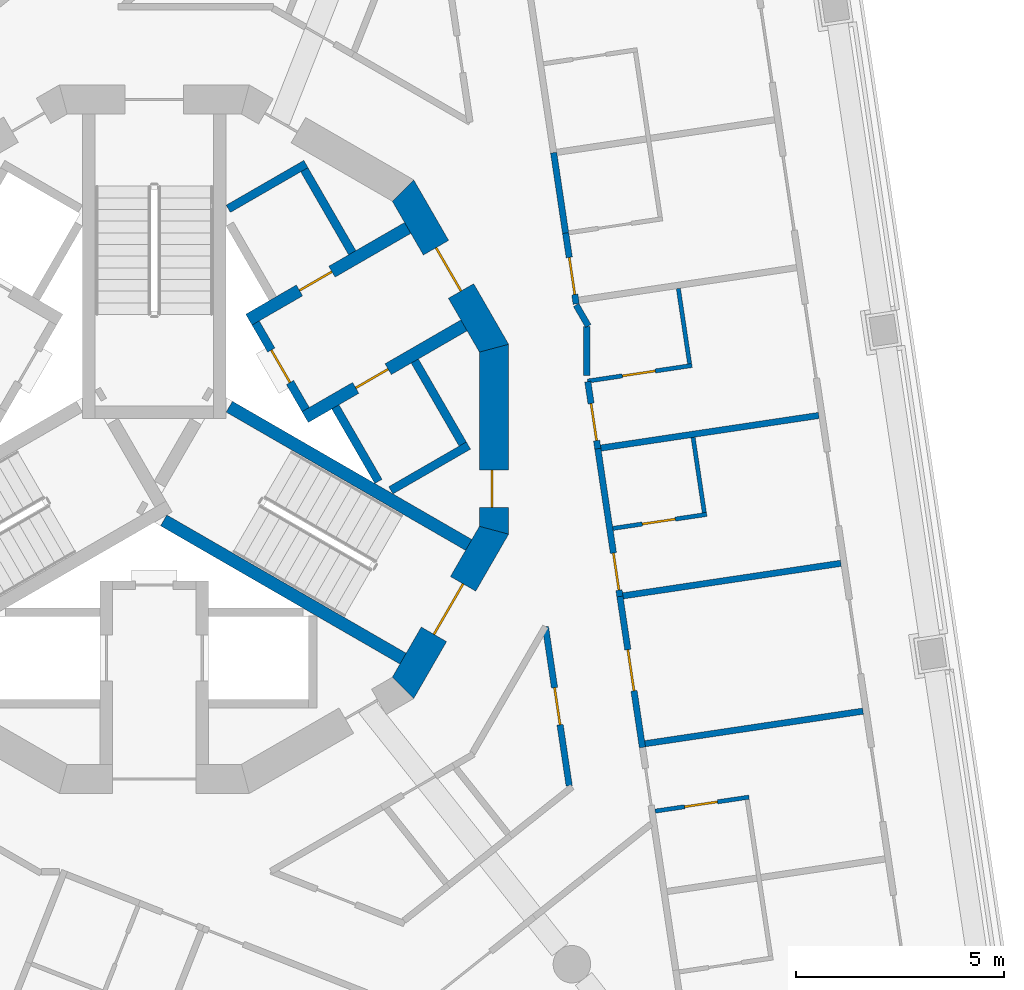
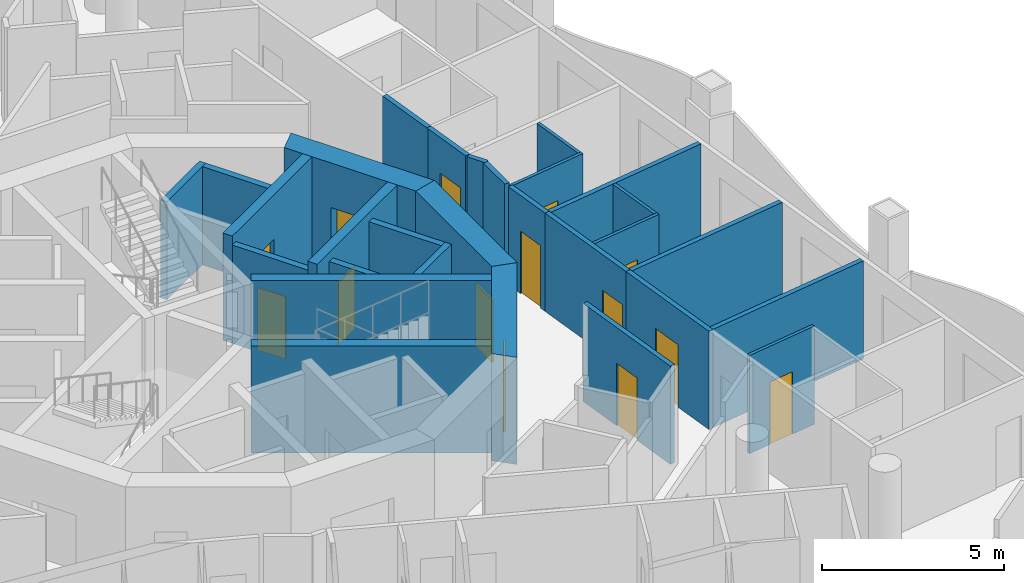
# One storey, part 6 of 17: 29 walls, 14 doors, 14 openings.
"""IFC4 building model written with IfcOpenShell, lengths in metres."""

import ifcopenshell
import ifcopenshell.guid

model = None  # the IFC model being written
_history = None  # IfcOwnerHistory: only IFC2X3 demands one
_inside = {}  # id of a spatial element -> (the spatial element, [elements in it])
_under = {}  # id of a project, library or spatial element -> (it, [spatial elements below it])
_declared = {}  # id of a project -> (the project, [libraries it declares])
_typed = {}  # id of a type object -> (the type object, [elements of that type])
_made_of = {}  # id of a material, layer set ... -> (it, [elements and type objects made of it])


def new_model(schema):
    """Start an empty IFC model of exactly this schema.

    Asked for "IFC4X3", IfcOpenShell would pick the latest addendum, in which some entities
    have other attributes; the version numbers below select the first issue.
    IFC2X3 requires an IfcOwnerHistory on every rooted entity: one is made here for all.
    """
    global model, _history
    if schema == "IFC4X3":
        model = ifcopenshell.file(schema_version=(4, 3, 0, 0))
    else:
        model = ifcopenshell.file(schema=schema)
    _inside.clear()
    _under.clear()
    _declared.clear()
    _typed.clear()
    _made_of.clear()
    _history = None
    if model.schema == "IFC2X3":
        org = make("IfcOrganization", Name="unknown")
        user = make(
            "IfcPersonAndOrganization",
            ThePerson=make("IfcPerson", FamilyName="unknown"),
            TheOrganization=org,
        )
        app = make(
            "IfcApplication",
            ApplicationDeveloper=org,
            Version="unknown",
            ApplicationFullName="unknown",
            ApplicationIdentifier="unknown",
        )
        _history = make(
            "IfcOwnerHistory",
            OwningUser=user,
            OwningApplication=app,
            ChangeAction="ADDED",
            CreationDate=0,
        )
    return model


def make(cls, **values):
    """One entity of the class cls with the attributes given. An attribute that is None is left unset."""
    return model.create_entity(
        cls, **{name: value for name, value in values.items() if value is not None}
    )


def rooted(cls, **values):
    """An entity with a GlobalId (a new one), such as an element, a storey or a relation."""
    return make(cls, GlobalId=ifcopenshell.guid.new(), OwnerHistory=_history, **values)


def si_unit(unit_type, name, prefix=None):
    """IfcSIUnit, for example si_unit("LENGTHUNIT", "METRE", prefix="MILLI")."""
    return make("IfcSIUnit", UnitType=unit_type, Prefix=prefix, Name=name)


def assignment(units):
    """IfcUnitAssignment: the units of a project."""
    return None if units is None else make("IfcUnitAssignment", Units=units)


def point(xyz):
    """IfcCartesianPoint."""
    return None if xyz is None else make("IfcCartesianPoint", Coordinates=xyz)


def direction(xyz):
    """IfcDirection."""
    return None if xyz is None else make("IfcDirection", DirectionRatios=xyz)


def frame(location, z_axis=None, x_axis=None):
    """IfcAxis2Placement3D, a coordinate frame: its origin and axes. An axis left out is left unset."""
    return make(
        "IfcAxis2Placement3D",
        Location=point(location),
        Axis=direction(z_axis),
        RefDirection=direction(x_axis),
    )


def frame_2d(location, x_axis=None):
    """IfcAxis2Placement2D, a coordinate frame in the plane: its origin and x axis."""
    return make(
        "IfcAxis2Placement2D", Location=point(location), RefDirection=direction(x_axis)
    )


def origin():
    """The frame at (0, 0, 0) with its axes left unset."""
    return frame((0.0, 0.0, 0.0))


def place(relative_to, where):
    """IfcLocalPlacement: puts the frame where relative to a parent placement (None: the world)."""
    return make(
        "IfcLocalPlacement", PlacementRelTo=relative_to, RelativePlacement=where
    )


def context(
    kind, dimensions, precision=None, world=None, true_north=None, identifier=None
):
    """IfcGeometricRepresentationContext, for example the 3D "Model" context."""
    return make(
        "IfcGeometricRepresentationContext",
        ContextIdentifier=identifier,
        ContextType=kind,
        CoordinateSpaceDimension=dimensions,
        Precision=precision,
        WorldCoordinateSystem=world,
        TrueNorth=true_north,
    )


def subcontext(parent, identifier, kind, view, scale=None):
    """IfcGeometricRepresentationSubContext, for example "Body" below "Model"."""
    return make(
        "IfcGeometricRepresentationSubContext",
        ContextIdentifier=identifier,
        ContextType=kind,
        ParentContext=parent,
        TargetScale=scale,
        TargetView=view,
    )


def project(units=None, contexts=None):
    """IfcProject with its units and contexts."""
    return rooted(
        "IfcProject",
        Name="project",
        RepresentationContexts=contexts,
        UnitsInContext=assignment(units),
    )


def spatial(cls, under=None, at=None, **own):
    """A site, building, storey or space (cls), placed at a placement, below another one or the project."""
    s = rooted(cls, ObjectPlacement=at, **own)
    if under is not None:
        _under.setdefault(under.id(), (under, []))[1].append(s)
    return s


def polyline(points):
    """IfcPolyline through the points."""
    return make("IfcPolyline", Points=[point(p) for p in points])


def profile(cls, at=None, kind="AREA", **sizes):
    """A parametric profile (cls). Its sizes go by their IFC names, for example OverallWidth=200.0."""
    return make(cls, ProfileType=kind, Position=at, **sizes)


def rectangle(**sizes):
    """IfcRectangleProfileDef."""
    return profile("IfcRectangleProfileDef", **sizes)


def outline(outer, holes=None, kind="AREA"):
    """IfcArbitraryClosedProfileDef: a profile drawn as a closed curve; with holes, ...WithVoids."""
    if holes is None:
        return make("IfcArbitraryClosedProfileDef", ProfileType=kind, OuterCurve=outer)
    return make(
        "IfcArbitraryProfileDefWithVoids",
        ProfileType=kind,
        OuterCurve=outer,
        InnerCurves=holes,
    )


def extrude(swept, where, along, depth):
    """IfcExtrudedAreaSolid: the profile swept, set in the frame where, extruded along a direction by depth."""
    return make(
        "IfcExtrudedAreaSolid",
        SweptArea=swept,
        Position=where,
        ExtrudedDirection=direction(along),
        Depth=depth,
    )


def shape(context_of_items, identifier, shape_type, items):
    """IfcShapeRepresentation: the items that make up one representation, for example the "Body"."""
    return make(
        "IfcShapeRepresentation",
        ContextOfItems=context_of_items,
        RepresentationIdentifier=identifier,
        RepresentationType=shape_type,
        Items=items,
    )


def material(Name=None, Category=None):
    """IfcMaterial."""
    return make("IfcMaterial", Name=Name, Category=Category)


def layer(
    of_material, thickness, ventilated=None, Name=None, Category=None, Priority=None
):
    """IfcMaterialLayer: one layer of a wall or slab, of a material (None: an air gap)."""
    return make(
        "IfcMaterialLayer",
        Material=of_material,
        LayerThickness=thickness,
        IsVentilated=ventilated,
        Name=Name,
        Category=Category,
        Priority=Priority,
    )


def layer_set(layers, Name=None):
    """IfcMaterialLayerSet."""
    return make("IfcMaterialLayerSet", MaterialLayers=layers, LayerSetName=Name)


def made_of(thing, what):
    """Note that an element or type object is made of a material, layer set ...; save() writes the relation."""
    if what is not None:
        _made_of.setdefault(what.id(), (what, []))[1].append(thing)
    return thing


def type_object(cls, material=None, **own):
    """A type object (cls), such as IfcWallType, which elements share."""
    return made_of(rooted(cls, **own), material)


def element(
    cls,
    number,
    at=None,
    inside=None,
    cuts=None,
    type_object=None,
    material=None,
    context=None,
    identifier="Body",
    shape_type=None,
    held_by="IfcProductDefinitionShape",
    body=None,
    shapes=None,
    **own,
):
    """One element of the class cls, such as IfcWall. Its Tag is "e" and its number.

    at: its placement. inside: the storey or other place that contains it. cuts: it is an
    opening in that element (IfcRelVoidsElement). A single representation is given by context,
    identifier, shape_type and body (its items); several are given by shapes. held_by: the class
    of the entity that holds the representations. save() writes the other relations.
    """
    e = rooted(cls, Tag="e%d" % number, ObjectPlacement=at, **own)
    if body is not None:
        shapes = [shape(context, identifier, shape_type, body)]
    if shapes is not None:
        e.Representation = make(held_by, Representations=shapes)
    if inside is not None:
        _inside.setdefault(inside.id(), (inside, []))[1].append(e)
    if cuts is not None:
        rooted(
            "IfcRelVoidsElement", RelatingBuildingElement=cuts, RelatedOpeningElement=e
        )
    if type_object is not None:
        _typed.setdefault(type_object.id(), (type_object, []))[1].append(e)
    return made_of(e, material)


def fill(opening, filler):
    """IfcRelFillsElement: the door or window that sits in an opening."""
    return rooted(
        "IfcRelFillsElement",
        RelatingOpeningElement=opening,
        RelatedBuildingElement=filler,
    )


def aggregate(whole, parts):
    """IfcRelAggregates: a whole, such as a stair, and the parts it consists of."""
    return rooted("IfcRelAggregates", RelatingObject=whole, RelatedObjects=parts)


def save(model, path):
    """Write the relations noted so far, then the file.

    IfcRelAggregates (storeys below a building ...), IfcRelContainedInSpatialStructure (elements
    in a storey), IfcRelDefinesByType, IfcRelAssociatesMaterial and IfcRelDeclares: one each for
    every whole, place, type object, material and project.
    """
    for whole, parts in _under.values():
        aggregate(whole, parts)
    for where, things in _inside.values():
        rooted(
            "IfcRelContainedInSpatialStructure",
            RelatedElements=things,
            RelatingStructure=where,
        )
    for kind, things in _typed.values():
        rooted("IfcRelDefinesByType", RelatedObjects=things, RelatingType=kind)
    for what, things in _made_of.values():
        rooted("IfcRelAssociatesMaterial", RelatedObjects=things, RelatingMaterial=what)
    for by, libraries in _declared.values():
        rooted("IfcRelDeclares", RelatingContext=by, RelatedDefinitions=libraries)
    model.write(path)


model = new_model("IFC4")

# Units and contexts
model_context = context("Model", 3, precision=1e-05, world=origin(), true_north=direction((0.0, 1.0)))
body_context = subcontext(model_context, "Body", "Model", "MODEL_VIEW")
ifc_project = project(units=[si_unit("LENGTHUNIT", "METRE"), si_unit("AREAUNIT", "SQUARE_METRE"), si_unit("VOLUMEUNIT", "CUBIC_METRE"), si_unit("PLANEANGLEUNIT", "RADIAN"), si_unit("MASSUNIT", "GRAM", prefix="KILO")], contexts=[model_context])

# Site, building, storey
site_placement = place(None, origin())
site = spatial("IfcSite", under=ifc_project, at=site_placement, CompositionType="ELEMENT")
building_placement = place(site_placement, origin())
building = spatial("IfcBuilding", under=site, at=building_placement, Name="Trine Commons Tower", CompositionType="ELEMENT")
storey_placement = place(building_placement, frame((0.0, 0.0, 216.0)))
storey = spatial("IfcBuildingStorey", under=building, at=storey_placement, Name="L56", CompositionType="ELEMENT", Elevation=216.0)

# Wall, opening, door
ifc_material_1 = material(Name="Fire-rated gypsum shaft wall system")
ifc_layer_1 = layer(ifc_material_1, 0.199951171875)
ifc_layer_set_1 = layer_set([ifc_layer_1], Name="Fire-rated gypsum shaft wall system")
wall_type_1 = type_object("IfcWallType", Name="Lobby end wall 200 mm, EI 120", PredefinedType="PARTITIONING", material=ifc_layer_set_1)
wall_1_placement = place(storey_placement, frame((83.631103515625, 63.2109375, 0.0), z_axis=(0.0, 0.0, 1.0), x_axis=(-0.50012165622, 0.865955154139, 0.0)))
wall_1 = element("IfcWall", 1, at=wall_1_placement, inside=storey, type_object=wall_type_1, Name="Lobby end wall L56", PredefinedType="PARTITIONING", context=body_context, shape_type="SweptSolid", body=[
    extrude(rectangle(XDim=2.39990234375, YDim=0.199951171875, at=frame_2d((1.199951171875, 0.0))), origin(), (0.0, 0.0, 1.0), 3.300048828125),
])
opening_1_placement = place(wall_1_placement, frame((0.749755859375, 0.0, 0.0)))
opening_1 = element("IfcOpeningElement", 2, at=opening_1_placement, cuts=wall_1, Name="Opening K16.05", PredefinedType="OPENING", context=body_context, shape_type="SweptSolid", body=[
    extrude(rectangle(XDim=0.89990234375, YDim=2.10009765625, at=frame_2d((0.449951171875, 1.050048828125))), frame((0.0, 0.10986328125, 0.0), z_axis=(0.0, -1.0, 0.0), x_axis=(1.0, 0.0, 0.0)), (0.0, 0.0, 1.0), 0.219970703125),
])
ifc_material_2 = material(Name="Steel door leaf, fire-rated", Category="steel")
door_type_1 = type_object("IfcDoorType", Name="Riser access door, single leaf 900 x 2100, FD60", OperationType="SINGLE_SWING_LEFT", PredefinedType="DOOR", material=ifc_material_2)
door_1_placement = place(opening_1_placement, frame((0.89990234375, 0.0, 0.0), z_axis=(0.0, 0.0, 1.0), x_axis=(-1.0, 0.0, 0.0)))
door_1 = element("IfcDoor", 3, at=door_1_placement, inside=storey, type_object=door_type_1, Name="Riser door, Electrical riser L56", OperationType="SINGLE_SWING_LEFT", OverallHeight=2.10009765625, OverallWidth=0.89990234375, PredefinedType="DOOR", context=body_context, shape_type="SweptSolid", body=[
    extrude(rectangle(XDim=0.89990234375, YDim=2.10009765625, at=frame_2d((0.449951171875, 1.050048828125))), frame((0.0, 0.02490234375, 0.0), z_axis=(0.0, -1.0, 0.0), x_axis=(1.0, 0.0, 0.0)), (0.0, 0.0, 1.0), 0.050048828125),
])
fill(opening_1, door_1)

ifc_material_3 = material(Name="Concrete C60/75", Category="concrete")
ifc_layer_2 = layer(ifc_material_3, 0.300048828125)
ifc_layer_set_2 = layer_set([ifc_layer_2], Name="Concrete C60/75")
wall_type_2 = type_object("IfcWallType", Name="RC shear wall 300 mm, C60/75", PredefinedType="SHEAR", material=ifc_layer_set_2)
wall_2_placement = place(storey_placement, frame((82.26904296875, 65.368896484375, 0.0), z_axis=(0.0, 0.0, 1.0), x_axis=(0.866035918664, 0.499981787252, 0.0)))
wall_2 = element("IfcWall", 4, at=wall_2_placement, inside=storey, type_object=wall_type_2, Name="Core cross wall SWC-05 L56", PredefinedType="SHEAR", context=body_context, shape_type="SweptSolid", body=[
    extrude(rectangle(XDim=4.400634765625, YDim=0.300048828125, at=frame_2d((2.2001953125, 0.0))), origin(), (0.0, 0.0, 1.0), 3.60009765625),
])
opening_2_placement = place(wall_2_placement, frame((1.400390625, 0.0, 0.0)))
opening_2 = element("IfcOpeningElement", 5, at=opening_2_placement, cuts=wall_2, Name="Opening K16.10", PredefinedType="OPENING", context=body_context, shape_type="SweptSolid", body=[
    extrude(rectangle(XDim=0.89990234375, YDim=2.10009765625, at=frame_2d((0.449951171875, 1.050048828125))), frame((0.0, 0.159912109375, 0.0), z_axis=(0.0, -1.0, 0.0), x_axis=(1.0, 0.0, 0.0)), (0.0, 0.0, 1.0), 0.320068359375),
])
door_type_2 = type_object("IfcDoorType", Name="Core room door, single leaf 900 x 2100, FD30S", OperationType="SINGLE_SWING_LEFT", PredefinedType="DOOR", material=ifc_material_2)
door_2_placement = place(opening_2_placement, origin())
door_2 = element("IfcDoor", 6, at=door_2_placement, inside=storey, type_object=door_type_2, Name="Door to Comms room L56", OperationType="SINGLE_SWING_LEFT", OverallHeight=2.10009765625, OverallWidth=0.89990234375, PredefinedType="DOOR", context=body_context, shape_type="SweptSolid", body=[
    extrude(rectangle(XDim=0.89990234375, YDim=2.10009765625, at=frame_2d((0.449951171875, 1.050048828125))), frame((0.0, 0.02490234375, 0.0), z_axis=(0.0, -1.0, 0.0), x_axis=(1.0, 0.0, 0.0)), (0.0, 0.0, 1.0), 0.050048828125),
])
fill(opening_2, door_2)

wall_3_placement = place(storey_placement, frame((83.618896484375, 63.031005859375, 0.0), z_axis=(0.0, 0.0, 1.0), x_axis=(0.866059941101, 0.499940174841, 0.0)))
wall_3 = element("IfcWall", 7, at=wall_3_placement, inside=storey, type_object=wall_type_2, Name="Core cross wall SWC-06 L56", PredefinedType="SHEAR", context=body_context, shape_type="SweptSolid", body=[
    extrude(rectangle(XDim=4.400390625, YDim=0.300048828125, at=frame_2d((2.2001953125, 0.0))), origin(), (0.0, 0.0, 1.0), 3.60009765625),
])
opening_3_placement = place(wall_3_placement, frame((1.400390625, 0.0, 0.0)))
opening_3 = element("IfcOpeningElement", 8, at=opening_3_placement, cuts=wall_3, Name="Opening K16.11", PredefinedType="OPENING", context=body_context, shape_type="SweptSolid", body=[
    extrude(rectangle(XDim=0.89990234375, YDim=2.10009765625, at=frame_2d((0.449951171875, 1.050048828125))), frame((0.0, 0.159912109375, 0.0), z_axis=(0.0, -1.0, 0.0), x_axis=(1.0, 0.0, 0.0)), (0.0, 0.0, 1.0), 0.320068359375),
])
door_3_placement = place(opening_3_placement, frame((0.89990234375, 0.0, 0.0), z_axis=(0.0, 0.0, 1.0), x_axis=(-1.0, 0.0, 0.0)))
door_3 = element("IfcDoor", 9, at=door_3_placement, inside=storey, type_object=door_type_2, Name="Door to Parcel store L56", OperationType="SINGLE_SWING_LEFT", OverallHeight=2.10009765625, OverallWidth=0.89990234375, PredefinedType="DOOR", context=body_context, shape_type="SweptSolid", body=[
    extrude(rectangle(XDim=0.89990234375, YDim=2.10009765625, at=frame_2d((0.449951171875, 1.050048828125))), frame((0.0, 0.02490234375, 0.0), z_axis=(0.0, -1.0, 0.0), x_axis=(1.0, 0.0, 0.0)), (0.0, 0.0, 1.0), 0.050048828125),
])
fill(opening_3, door_3)

# Walls
for number, where, z_axis, x_axis, name in (
    (10, (80.22509765625, 60.552001953125, 0.0), (0.0, 0.0, 1.0), (0.866009627307, -0.500027324665, 0.0), "Core cross wall SWC-13 L56"),
    (11, (81.800048828125, 63.280029296875, 0.0), (0.0, 0.0, 1.0), (0.866009627307, -0.500027324665, 0.0), "Core cross wall SWC-18 L56"),
):
    element("IfcWall", number, at=place(storey_placement, frame(where, z_axis=z_axis, x_axis=x_axis)), inside=storey, type_object=wall_type_2, Name=name, PredefinedType="SHEAR", context=body_context, shape_type="SweptSolid", body=[
        extrude(rectangle(XDim=6.631591796875, YDim=0.300048828125, at=frame_2d((3.31591796875, 0.0))), origin(), (0.0, 0.0, 1.0), 3.60009765625),
    ])

# Wall, opening, door
ifc_layer_3 = layer(ifc_material_3, 0.699951171875)
ifc_layer_set_3 = layer_set([ifc_layer_3], Name="Concrete C60/75")
wall_type_3 = type_object("IfcWallType", Name="RC shear wall 700 mm, C60/75", PredefinedType="SHEAR", material=ifc_layer_set_3)
wall_4_placement = place(storey_placement, frame((88.150146484375, 60.222412109375, 0.0), z_axis=(0.0, 0.0, 1.0), x_axis=(0.0, 1.0, 0.0)))
wall_4 = element("IfcWall", 12, at=wall_4_placement, inside=storey, type_object=wall_type_3, Name="Core wall CWF-01 L56", PredefinedType="SHEAR", context=body_context, shape_type="SweptSolid", body=[
    extrude(outline(polyline([(0.0, -0.35009765625), (4.55517578125, -0.35009765625), (4.36767578125, 0.35009765625), (0.1875, 0.35009765625), (0.0, -0.35009765625)])), origin(), (0.0, 0.0, 1.0), 3.60009765625),
])
opening_4_placement = place(wall_4_placement, frame((0.6416015625, 0.0, 0.0)))
opening_4 = element("IfcOpeningElement", 13, at=opening_4_placement, cuts=wall_4, Name="Opening K16.17", PredefinedType="OPENING", context=body_context, shape_type="SweptSolid", body=[
    extrude(rectangle(XDim=0.89990234375, YDim=2.10009765625, at=frame_2d((0.449951171875, 1.050048828125))), frame((0.0, 0.35986328125, 0.0), z_axis=(0.0, -1.0, 0.0), x_axis=(1.0, 0.0, 0.0)), (0.0, 0.0, 1.0), 0.719970703125),
])
door_4_placement = place(opening_4_placement, origin())
door_4 = element("IfcDoor", 14, at=door_4_placement, inside=storey, type_object=door_type_2, Name="Door to Accessible WC L56", OperationType="SINGLE_SWING_LEFT", OverallHeight=2.10009765625, OverallWidth=0.89990234375, PredefinedType="DOOR", context=body_context, shape_type="SweptSolid", body=[
    extrude(rectangle(XDim=0.89990234375, YDim=2.10009765625, at=frame_2d((0.449951171875, 1.050048828125))), frame((0.0, 0.0751953125, 0.0), z_axis=(0.0, -1.0, 0.0), x_axis=(1.0, 0.0, 0.0)), (0.0, 0.0, 1.0), 0.050048828125),
])
fill(opening_4, door_4)

wall_5_placement = place(storey_placement, frame((88.197021484375, 64.6025390625, 0.0), z_axis=(0.0, 0.0, 1.0), x_axis=(-0.499983800959, 0.866034756103, 0.0)))
wall_5 = element("IfcWall", 15, at=wall_5_placement, inside=storey, type_object=wall_type_3, Name="Core wall CWF-02 L56", PredefinedType="SHEAR", context=body_context, shape_type="SweptSolid", body=[
    extrude(outline(polyline([(0.0, -0.35009765625), (4.55517578125, -0.35009765625), (4.36767578125, 0.35009765625), (0.1875, 0.35009765625), (0.0, -0.35009765625)])), origin(), (0.0, 0.0, 1.0), 3.60009765625),
])
opening_5_placement = place(wall_5_placement, frame((1.677490234375, 0.0, 0.0)))
opening_5 = element("IfcOpeningElement", 16, at=opening_5_placement, cuts=wall_5, Name="Opening K16.04", PredefinedType="OPENING", context=body_context, shape_type="SweptSolid", body=[
    extrude(rectangle(XDim=1.199951171875, YDim=2.10009765625, at=frame_2d((0.60009765625, 1.050048828125))), frame((0.0, 0.35986328125, 0.0), z_axis=(0.0, -1.0, 0.0), x_axis=(1.0, 0.0, 0.0)), (0.0, 0.0, 1.0), 0.719970703125),
])
ifc_material_4 = material(Name="Steel door leaves, fire-rated", Category="steel")
door_type_3 = type_object("IfcDoorType", Name="Lobby door, double leaf 1200 x 2100, FD60", OperationType="DOUBLE_DOOR_SINGLE_SWING", PredefinedType="DOOR", material=ifc_material_4)
door_5_placement = place(opening_5_placement, origin())
door_5 = element("IfcDoor", 17, at=door_5_placement, inside=storey, type_object=door_type_3, Name="Lobby door, Core lounge L56", OperationType="DOUBLE_DOOR_SINGLE_SWING", OverallHeight=2.10009765625, OverallWidth=1.199951171875, PredefinedType="DOOR", context=body_context, shape_type="SweptSolid", body=[
    extrude(rectangle(XDim=1.199951171875, YDim=2.10009765625, at=frame_2d((0.60009765625, 1.050048828125))), frame((0.0, 0.02490234375, 0.0), z_axis=(0.0, -1.0, 0.0), x_axis=(1.0, 0.0, 0.0)), (0.0, 0.0, 1.0), 0.050048828125),
])
fill(opening_5, door_5)

wall_6_placement = place(storey_placement, frame((85.91943359375, 56.452392578125, 0.0), z_axis=(0.0, 0.0, 1.0), x_axis=(0.499983800959, 0.866034756103, 0.0)))
wall_6 = element("IfcWall", 18, at=wall_6_placement, inside=storey, type_object=wall_type_3, Name="Core wall CWF-12 L56", PredefinedType="SHEAR", context=body_context, shape_type="SweptSolid", body=[
    extrude(outline(polyline([(0.0, -0.35009765625), (4.55517578125, -0.35009765625), (4.36767578125, 0.35009765625), (0.1875, 0.35009765625), (0.0, -0.35009765625)])), origin(), (0.0, 0.0, 1.0), 3.60009765625),
])
opening_6_placement = place(wall_6_placement, frame((1.577392578125, 0.0, 0.0)))
opening_6 = element("IfcOpeningElement", 19, at=opening_6_placement, cuts=wall_6, Name="Opening K16.03", PredefinedType="OPENING", context=body_context, shape_type="SweptSolid", body=[
    extrude(rectangle(XDim=1.39990234375, YDim=2.10009765625, at=frame_2d((0.699951171875, 1.050048828125))), frame((0.0, 0.35986328125, 0.0), z_axis=(0.0, -1.0, 0.0), x_axis=(1.0, 0.0, 0.0)), (0.0, 0.0, 1.0), 0.719970703125),
])
door_type_4 = type_object("IfcDoorType", Name="Stair door, double leaf 1400 x 2100, FD90", OperationType="DOUBLE_DOOR_SINGLE_SWING", PredefinedType="DOOR", material=ifc_material_4)
door_6_placement = place(opening_6_placement, origin())
door_6 = element("IfcDoor", 20, at=door_6_placement, inside=storey, type_object=door_type_4, Name="Stair door to Exit stair ST3C L56", OperationType="DOUBLE_DOOR_SINGLE_SWING", OverallHeight=2.10009765625, OverallWidth=1.39990234375, PredefinedType="DOOR", context=body_context, shape_type="SweptSolid", body=[
    extrude(rectangle(XDim=1.39990234375, YDim=2.10009765625, at=frame_2d((0.699951171875, 1.050048828125))), frame((0.0, 0.02490234375, 0.0), z_axis=(0.0, -1.0, 0.0), x_axis=(1.0, 0.0, 0.0)), (0.0, 0.0, 1.0), 0.050048828125),
])
fill(opening_6, door_6)

# Walls
ifc_layer_4 = layer(ifc_material_1, 0.199951171875)
ifc_layer_set_4 = layer_set([ifc_layer_4], Name="Fire-rated gypsum shaft wall system")
wall_type_4 = type_object("IfcWallType", Name="Shaft wall 200 mm, EI 120", PredefinedType="PARTITIONING", material=ifc_layer_set_4)
wall_7_placement = place(storey_placement, frame((81.77490234375, 68.028076171875, 0.0), z_axis=(0.0, 0.0, 1.0), x_axis=(0.866130725101, 0.499817533742, 0.0)))
element("IfcWall", 21, at=wall_7_placement, inside=storey, type_object=wall_type_4, Name="Shaft wall L56", PredefinedType="PARTITIONING", context=body_context, shape_type="SweptSolid", body=[
    extrude(rectangle(XDim=2.148681640625, YDim=0.199951171875, at=frame_2d((1.07421875, 0.0))), origin(), (0.0, 0.0, 1.0), 3.300048828125),
])
wall_8_placement = place(storey_placement, frame((84.343994140625, 63.27587890625, 0.0), z_axis=(0.0, 0.0, 1.0), x_axis=(0.500271688072, -0.86586848777, 0.0)))
element("IfcWall", 22, at=wall_8_placement, inside=storey, type_object=wall_type_4, Name="Shaft wall L56", PredefinedType="PARTITIONING", context=body_context, shape_type="SweptSolid", body=[
    extrude(rectangle(XDim=2.064697265625, YDim=0.199951171875, at=frame_2d((1.0322265625, 0.0))), origin(), (0.0, 0.0, 1.0), 3.300048828125),
])
wall_9_placement = place(storey_placement, frame((84.7490234375, 66.97412109375, 0.0), z_axis=(0.0, 0.0, 1.0), x_axis=(-0.500136062276, 0.86594683394, 0.0)))
element("IfcWall", 23, at=wall_9_placement, inside=storey, type_object=wall_type_4, Name="Shaft wall L56", PredefinedType="PARTITIONING", context=body_context, shape_type="SweptSolid", body=[
    extrude(rectangle(XDim=2.299072265625, YDim=0.199951171875, at=frame_2d((1.1494140625, 0.0))), origin(), (0.0, 0.0, 1.0), 3.300048828125),
])
wall_10_placement = place(storey_placement, frame((85.675048828125, 61.27392578125, 0.0), z_axis=(0.0, 0.0, 1.0), x_axis=(0.866102336459, 0.499866725018, 0.0)))
element("IfcWall", 24, at=wall_10_placement, inside=storey, type_object=wall_type_4, Name="Shaft wall L56", PredefinedType="PARTITIONING", context=body_context, shape_type="SweptSolid", body=[
    extrude(rectangle(XDim=2.1484375, YDim=0.199951171875, at=frame_2d((1.07421875, 0.0))), origin(), (0.0, 0.0, 1.0), 3.300048828125),
])
wall_11_placement = place(storey_placement, frame((86.2490234375, 64.3759765625, 0.0), z_axis=(0.0, 0.0, 1.0), x_axis=(0.500136062276, -0.86594683394, 0.0)))
element("IfcWall", 25, at=wall_11_placement, inside=storey, type_object=wall_type_4, Name="Shaft wall L56", PredefinedType="PARTITIONING", context=body_context, shape_type="SweptSolid", body=[
    extrude(rectangle(XDim=2.299072265625, YDim=0.199951171875, at=frame_2d((1.1494140625, 0.0))), origin(), (0.0, 0.0, 1.0), 3.300048828125),
])

# Wall, opening, door
ifc_material_5 = material(Name="Gypsum plasterboard on steel stud", Category="steel")
ifc_layer_5 = layer(ifc_material_5, 0.14990234375)
ifc_layer_set_5 = layer_set([ifc_layer_5], Name="Gypsum plasterboard on steel stud")
wall_type_5 = type_object("IfcWallType", Name="Unit and corridor wall 150 mm, EI 60", PredefinedType="PARTITIONING", material=ifc_layer_set_5)
wall_12_placement = place(storey_placement, frame((89.383056640625, 58.001953125, 0.0), z_axis=(0.0, 0.0, 1.0), x_axis=(0.14791043165, -0.989000760469, 0.0)))
wall_12 = element("IfcWall", 26, at=wall_12_placement, inside=storey, type_object=wall_type_5, Name="Partition 115", PredefinedType="PARTITIONING", context=body_context, shape_type="SweptSolid", body=[
    extrude(rectangle(XDim=3.859130859375, YDim=0.14990234375, at=frame_2d((1.9296875, 0.0))), origin(), (0.0, 0.0, 1.0), 3.300048828125),
])
opening_7_placement = place(wall_12_placement, frame((1.4794921875, 0.0, 0.0)))
opening_7 = element("IfcOpeningElement", 27, at=opening_7_placement, cuts=wall_12, Name="Opening D-6B29", PredefinedType="OPENING", context=body_context, shape_type="SweptSolid", body=[
    extrude(rectangle(XDim=0.89990234375, YDim=2.10009765625, at=frame_2d((0.449951171875, 1.050048828125))), frame((0.0, 0.0849609375, 0.0), z_axis=(0.0, -1.0, 0.0), x_axis=(1.0, 0.0, 0.0)), (0.0, 0.0, 1.0), 0.169921875),
])
ifc_material_6 = material(Name="Timber fire door set", Category="wood")
door_type_5 = type_object("IfcDoorType", Name="Service door 900 x 2100, FD30S", OperationType="NOTDEFINED", PredefinedType="DOOR", material=ifc_material_6)
door_7_placement = place(opening_7_placement, frame((0.89990234375, 0.0, 0.0), z_axis=(0.0, 0.0, 1.0), x_axis=(-1.0, 0.0, 0.0)))
door_7 = element("IfcDoor", 28, at=door_7_placement, inside=storey, type_object=door_type_5, Name="Door D-6B29", OperationType="SINGLE_SWING_RIGHT", OverallHeight=2.10009765625, OverallWidth=0.89990234375, PredefinedType="DOOR", context=body_context, shape_type="SweptSolid", body=[
    extrude(rectangle(XDim=0.89990234375, YDim=2.10009765625, at=frame_2d((0.449951171875, 1.050048828125))), frame((0.0, 0.02490234375, 0.0), z_axis=(0.0, -1.0, 0.0), x_axis=(1.0, 0.0, 0.0)), (0.0, 0.0, 1.0), 0.050048828125),
])
fill(opening_7, door_7)

# Wall
wall_13_placement = place(storey_placement, frame((89.580078125, 69.375, 0.0), z_axis=(0.0, 0.0, 1.0), x_axis=(0.147561773313, -0.989052841388, 0.0)))
element("IfcWall", 29, at=wall_13_placement, inside=storey, type_object=wall_type_5, Name="Partition 117", PredefinedType="PARTITIONING", context=body_context, shape_type="SweptSolid", body=[
    extrude(rectangle(XDim=2.008544921875, YDim=0.14990234375, at=frame_2d((1.00439453125, 0.0))), origin(), (0.0, 0.0, 1.0), 3.300048828125),
])

# Wall, opening, door
wall_14_placement = place(storey_placement, frame((89.867919921875, 67.446044921875, 0.0), z_axis=(0.0, 0.0, 1.0), x_axis=(0.147840420569, -0.989011228473, 0.0)))
wall_14 = element("IfcWall", 30, at=wall_14_placement, inside=storey, type_object=wall_type_5, Name="Partition 119", PredefinedType="PARTITIONING", context=body_context, shape_type="SweptSolid", body=[
    extrude(rectangle(XDim=1.718994140625, YDim=0.14990234375, at=frame_2d((0.859375, 0.0))), origin(), (0.0, 0.0, 1.0), 3.300048828125),
])
opening_8_placement = place(wall_14_placement, frame((0.58984375, 0.0, 0.0)))
opening_8 = element("IfcOpeningElement", 31, at=opening_8_placement, cuts=wall_14, Name="Opening D-6B15", PredefinedType="OPENING", context=body_context, shape_type="SweptSolid", body=[
    extrude(rectangle(XDim=0.89990234375, YDim=2.10009765625, at=frame_2d((0.449951171875, 1.050048828125))), frame((0.0, 0.0849609375, 0.0), z_axis=(0.0, -1.0, 0.0), x_axis=(1.0, 0.0, 0.0)), (0.0, 0.0, 1.0), 0.169921875),
])
door_type_6 = type_object("IfcDoorType", Name="Bedroom door 900 x 2100, FD30S", OperationType="NOTDEFINED", PredefinedType="DOOR", material=ifc_material_6)
door_8_placement = place(opening_8_placement, origin())
door_8 = element("IfcDoor", 32, at=door_8_placement, inside=storey, type_object=door_type_6, Name="Door D-6B15", OperationType="SINGLE_SWING_RIGHT", OverallHeight=2.10009765625, OverallWidth=0.89990234375, PredefinedType="DOOR", context=body_context, shape_type="SweptSolid", body=[
    extrude(rectangle(XDim=0.89990234375, YDim=2.10009765625, at=frame_2d((0.449951171875, 1.050048828125))), frame((0.0, 0.02490234375, 0.0), z_axis=(0.0, -1.0, 0.0), x_axis=(1.0, 0.0, 0.0)), (0.0, 0.0, 1.0), 0.050048828125),
])
fill(opening_8, door_8)

# Walls
wall_15_placement = place(storey_placement, frame((90.12109375, 65.718994140625, 0.0), z_axis=(0.0, 0.0, 1.0), x_axis=(0.500738673164, -0.865598510395, 0.0)))
element("IfcWall", 33, at=wall_15_placement, inside=storey, type_object=wall_type_5, Name="Partition 121", PredefinedType="PARTITIONING", context=body_context, shape_type="SweptSolid", body=[
    extrude(rectangle(XDim=0.58203125, YDim=0.14990234375, at=frame_2d((0.291015625, 0.0))), origin(), (0.0, 0.0, 1.0), 3.300048828125),
])
wall_16_placement = place(storey_placement, frame((90.375, 64.02294921875, 0.0), z_axis=(0.0, 0.0, 1.0), x_axis=(0.0, 1.0, 0.0)))
element("IfcWall", 34, at=wall_16_placement, inside=storey, type_object=wall_type_5, Name="Partition 124", PredefinedType="PARTITIONING", context=body_context, shape_type="SweptSolid", body=[
    extrude(rectangle(XDim=1.18212890625, YDim=0.14990234375, at=frame_2d((0.591064453125, 0.0))), origin(), (0.0, 0.0, 1.0), 3.300048828125),
])

# Wall, opening, door
wall_17_placement = place(storey_placement, frame((90.39990234375, 63.882080078125, 0.0), z_axis=(0.0, 0.0, 1.0), x_axis=(0.147511205878, -0.989060384476, 0.0)))
wall_17 = element("IfcWall", 35, at=wall_17_placement, inside=storey, type_object=wall_type_5, Name="Partition 126", PredefinedType="PARTITIONING", context=body_context, shape_type="SweptSolid", body=[
    extrude(rectangle(XDim=1.626953125, YDim=0.14990234375, at=frame_2d((0.8134765625, 0.0))), origin(), (0.0, 0.0, 1.0), 3.300048828125),
])
opening_9_placement = place(wall_17_placement, frame((0.530517578125, 0.0, 0.0)))
opening_9 = element("IfcOpeningElement", 36, at=opening_9_placement, cuts=wall_17, Name="Opening D-6B16", PredefinedType="OPENING", context=body_context, shape_type="SweptSolid", body=[
    extrude(rectangle(XDim=0.89990234375, YDim=2.10009765625, at=frame_2d((0.449951171875, 1.050048828125))), frame((0.0, 0.0849609375, 0.0), z_axis=(0.0, -1.0, 0.0), x_axis=(1.0, 0.0, 0.0)), (0.0, 0.0, 1.0), 0.169921875),
])
door_9_placement = place(opening_9_placement, origin())
door_9 = element("IfcDoor", 37, at=door_9_placement, inside=storey, type_object=door_type_6, Name="Door D-6B16", OperationType="SINGLE_SWING_RIGHT", OverallHeight=2.10009765625, OverallWidth=0.89990234375, PredefinedType="DOOR", context=body_context, shape_type="SweptSolid", body=[
    extrude(rectangle(XDim=0.89990234375, YDim=2.10009765625, at=frame_2d((0.449951171875, 1.050048828125))), frame((0.0, 0.02490234375, 0.0), z_axis=(0.0, -1.0, 0.0), x_axis=(1.0, 0.0, 0.0)), (0.0, 0.0, 1.0), 0.050048828125),
])
fill(opening_9, door_9)

wall_18_placement = place(storey_placement, frame((90.6279296875, 62.355224609375, 0.0), z_axis=(0.0, 0.0, 1.0), x_axis=(0.147744877395, -0.989025505841, 0.0)))
wall_18 = element("IfcWall", 38, at=wall_18_placement, inside=storey, type_object=wall_type_5, Name="Partition 127", PredefinedType="PARTITIONING", context=body_context, shape_type="SweptSolid", body=[
    extrude(rectangle(XDim=3.66845703125, YDim=0.14990234375, at=frame_2d((1.834228515625, 0.0))), origin(), (0.0, 0.0, 1.0), 3.300048828125),
])
opening_10_placement = place(wall_18_placement, frame((2.614501953125, 0.0, 0.0)))
opening_10 = element("IfcOpeningElement", 39, at=opening_10_placement, cuts=wall_18, Name="Opening D-6B17", PredefinedType="OPENING", context=body_context, shape_type="SweptSolid", body=[
    extrude(rectangle(XDim=0.89990234375, YDim=2.10009765625, at=frame_2d((0.449951171875, 1.050048828125))), frame((0.0, 0.0849609375, 0.0), z_axis=(0.0, -1.0, 0.0), x_axis=(1.0, 0.0, 0.0)), (0.0, 0.0, 1.0), 0.169921875),
])
door_10_placement = place(opening_10_placement, origin())
door_10 = element("IfcDoor", 40, at=door_10_placement, inside=storey, type_object=door_type_6, Name="Door D-6B17", OperationType="SINGLE_SWING_RIGHT", OverallHeight=2.10009765625, OverallWidth=0.89990234375, PredefinedType="DOOR", context=body_context, shape_type="SweptSolid", body=[
    extrude(rectangle(XDim=0.89990234375, YDim=2.10009765625, at=frame_2d((0.449951171875, 1.050048828125))), frame((0.0, 0.02490234375, 0.0), z_axis=(0.0, -1.0, 0.0), x_axis=(1.0, 0.0, 0.0)), (0.0, 0.0, 1.0), 0.050048828125),
])
fill(opening_10, door_10)

# Wall
wall_19_placement = place(storey_placement, frame((90.714111328125, 62.2880859375, 0.0), z_axis=(0.0, 0.0, 1.0), x_axis=(0.988994889639, 0.147949681543, 0.0)))
element("IfcWall", 41, at=wall_19_placement, inside=storey, type_object=wall_type_5, Name="Partition 128", PredefinedType="PARTITIONING", context=body_context, shape_type="SweptSolid", body=[
    extrude(rectangle(XDim=5.285400390625, YDim=0.14990234375, at=frame_2d((2.642578125, 0.0))), origin(), (0.0, 0.0, 1.0), 3.300048828125),
])

# Wall, opening, door
wall_20_placement = place(storey_placement, frame((91.1689453125, 58.735107421875, 0.0), z_axis=(0.0, 0.0, 1.0), x_axis=(0.147761346956, -0.989023045407, 0.0)))
wall_20 = element("IfcWall", 42, at=wall_20_placement, inside=storey, type_object=wall_type_5, Name="Partition 130", PredefinedType="PARTITIONING", context=body_context, shape_type="SweptSolid", body=[
    extrude(rectangle(XDim=3.669677734375, YDim=0.14990234375, at=frame_2d((1.8349609375, 0.0))), origin(), (0.0, 0.0, 1.0), 3.300048828125),
])
opening_11_placement = place(wall_20_placement, frame((1.29736328125, 0.0, 0.0)))
opening_11 = element("IfcOpeningElement", 43, at=opening_11_placement, cuts=wall_20, Name="Opening D-6B18", PredefinedType="OPENING", context=body_context, shape_type="SweptSolid", body=[
    extrude(rectangle(XDim=1.0, YDim=2.10009765625, at=frame_2d((0.5, 1.050048828125))), frame((0.0, 0.0849609375, 0.0), z_axis=(0.0, -1.0, 0.0), x_axis=(1.0, 0.0, 0.0)), (0.0, 0.0, 1.0), 0.169921875),
])
ifc_material_7 = material(Name="Painted timber", Category="wood")
door_type_7 = type_object("IfcDoorType", Name="Amenity room door 1000 x 2100, NOT RATED", OperationType="NOTDEFINED", PredefinedType="DOOR", material=ifc_material_7)
door_11_placement = place(opening_11_placement, origin())
door_11 = element("IfcDoor", 44, at=door_11_placement, inside=storey, type_object=door_type_7, Name="Door D-6B18", OperationType="SINGLE_SWING_LEFT", OverallHeight=2.10009765625, OverallWidth=1.0, PredefinedType="DOOR", context=body_context, shape_type="SweptSolid", body=[
    extrude(rectangle(XDim=1.0, YDim=2.10009765625, at=frame_2d((0.5, 1.050048828125))), frame((0.0, 0.02490234375, 0.0), z_axis=(0.0, -1.0, 0.0), x_axis=(1.0, 0.0, 0.0)), (0.0, 0.0, 1.0), 0.050048828125),
])
fill(opening_11, door_11)

# Walls
for number, where, z_axis, x_axis, name in (
    (45, (91.244140625, 58.7421875, 0.0), (0.0, 0.0, 1.0), (0.98902190879, 0.147768954566, 0.0), "Partition 131"),
    (46, (91.774169921875, 55.195068359375, 0.0), (0.0, 0.0, 1.0), (0.98902190879, 0.147768954566, 0.0), "Partition 134"),
):
    element("IfcWall", number, at=place(storey_placement, frame(where, z_axis=z_axis, x_axis=x_axis)), inside=storey, type_object=wall_type_5, Name=name, PredefinedType="PARTITIONING", context=body_context, shape_type="SweptSolid", body=[
        extrude(rectangle(XDim=5.285400390625, YDim=0.14990234375, at=frame_2d((2.642578125, 0.0))), origin(), (0.0, 0.0, 1.0), 3.300048828125),
    ])

# Wall, opening, door
ifc_layer_6 = layer(ifc_material_5, 0.10009765625)
ifc_layer_set_6 = layer_set([ifc_layer_6], Name="Gypsum plasterboard on steel stud")
wall_type_6 = type_object("IfcWallType", Name="Unit partition 100 mm, no rating", PredefinedType="PARTITIONING", material=ifc_layer_set_6)
wall_21_placement = place(storey_placement, frame((90.39794921875, 63.89501953125, 0.0), z_axis=(0.0, 0.0, 1.0), x_axis=(0.988991508707, 0.147972280192, 0.0)))
wall_21 = element("IfcWall", 47, at=wall_21_placement, inside=storey, type_object=wall_type_6, Name="Partition 125", PredefinedType="PARTITIONING", context=body_context, shape_type="SweptSolid", body=[
    extrude(rectangle(XDim=2.529296875, YDim=0.10009765625, at=frame_2d((1.2646484375, 0.0))), origin(), (0.0, 0.0, 1.0), 3.300048828125),
])
opening_12_placement = place(wall_21_placement, frame((0.839599609375, 0.0, 0.0)))
opening_12 = element("IfcOpeningElement", 48, at=opening_12_placement, cuts=wall_21, Name="Opening D-6B46", PredefinedType="OPENING", context=body_context, shape_type="SweptSolid", body=[
    extrude(rectangle(XDim=0.800048828125, YDim=2.10009765625, at=frame_2d((0.39990234375, 1.050048828125))), frame((0.0, 0.06005859375, 0.0), z_axis=(0.0, -1.0, 0.0), x_axis=(1.0, 0.0, 0.0)), (0.0, 0.0, 1.0), 0.1201171875),
])
door_type_8 = type_object("IfcDoorType", Name="Internal door 800 x 2100, NOT RATED", OperationType="NOTDEFINED", PredefinedType="DOOR", material=ifc_material_7)
door_12_placement = place(opening_12_placement, frame((0.800048828125, 0.0, 0.0), z_axis=(0.0, 0.0, 1.0), x_axis=(-1.0, 0.0, 0.0)))
door_12 = element("IfcDoor", 49, at=door_12_placement, inside=storey, type_object=door_type_8, Name="Door D-6B46", OperationType="SINGLE_SWING_RIGHT", OverallHeight=2.10009765625, OverallWidth=0.800048828125, PredefinedType="DOOR", context=body_context, shape_type="SweptSolid", body=[
    extrude(rectangle(XDim=0.800048828125, YDim=2.10009765625, at=frame_2d((0.39990234375, 1.050048828125))), frame((0.0, 0.02490234375, 0.0), z_axis=(0.0, -1.0, 0.0), x_axis=(1.0, 0.0, 0.0)), (0.0, 0.0, 1.0), 0.050048828125),
])
fill(opening_12, door_12)

wall_22_placement = place(storey_placement, frame((91.002197265625, 60.360107421875, 0.0), z_axis=(0.0, 0.0, 1.0), x_axis=(0.989023546454, 0.147757993216, 0.0)))
wall_22 = element("IfcWall", 50, at=wall_22_placement, inside=storey, type_object=wall_type_6, Name="Partition 129", PredefinedType="PARTITIONING", context=body_context, shape_type="SweptSolid", body=[
    extrude(rectangle(XDim=2.275146484375, YDim=0.10009765625, at=frame_2d((1.1376953125, 0.0))), origin(), (0.0, 0.0, 1.0), 3.300048828125),
])
opening_13_placement = place(wall_22_placement, frame((0.712646484375, 0.0, 0.0)))
opening_13 = element("IfcOpeningElement", 51, at=opening_13_placement, cuts=wall_22, Name="Opening D-6B47", PredefinedType="OPENING", context=body_context, shape_type="SweptSolid", body=[
    extrude(rectangle(XDim=0.800048828125, YDim=2.10009765625, at=frame_2d((0.39990234375, 1.050048828125))), frame((0.0, 0.06005859375, 0.0), z_axis=(0.0, -1.0, 0.0), x_axis=(1.0, 0.0, 0.0)), (0.0, 0.0, 1.0), 0.1201171875),
])
door_13_placement = place(opening_13_placement, frame((0.800048828125, 0.0, 0.0), z_axis=(0.0, 0.0, 1.0), x_axis=(-1.0, 0.0, 0.0)))
door_13 = element("IfcDoor", 52, at=door_13_placement, inside=storey, type_object=door_type_8, Name="Door D-6B47", OperationType="SINGLE_SWING_RIGHT", OverallHeight=2.10009765625, OverallWidth=0.800048828125, PredefinedType="DOOR", context=body_context, shape_type="SweptSolid", body=[
    extrude(rectangle(XDim=0.800048828125, YDim=2.10009765625, at=frame_2d((0.39990234375, 1.050048828125))), frame((0.0, 0.02490234375, 0.0), z_axis=(0.0, -1.0, 0.0), x_axis=(1.0, 0.0, 0.0)), (0.0, 0.0, 1.0), 0.050048828125),
])
fill(opening_13, door_13)

wall_23_placement = place(storey_placement, frame((92.01611328125, 53.5771484375, 0.0), z_axis=(0.0, 0.0, 1.0), x_axis=(0.989025888794, 0.147742313828, 0.0)))
wall_23 = element("IfcWall", 53, at=wall_23_placement, inside=storey, type_object=wall_type_6, Name="Partition 135", PredefinedType="PARTITIONING", context=body_context, shape_type="SweptSolid", body=[
    extrude(rectangle(XDim=2.275390625, YDim=0.10009765625, at=frame_2d((1.1376953125, 0.0))), origin(), (0.0, 0.0, 1.0), 3.300048828125),
])
opening_14_placement = place(wall_23_placement, frame((0.712646484375, 0.0, 0.0)))
opening_14 = element("IfcOpeningElement", 54, at=opening_14_placement, cuts=wall_23, Name="Opening D-6B48", PredefinedType="OPENING", context=body_context, shape_type="SweptSolid", body=[
    extrude(rectangle(XDim=0.800048828125, YDim=2.10009765625, at=frame_2d((0.39990234375, 1.050048828125))), frame((0.0, 0.06005859375, 0.0), z_axis=(0.0, -1.0, 0.0), x_axis=(1.0, 0.0, 0.0)), (0.0, 0.0, 1.0), 0.1201171875),
])
door_14_placement = place(opening_14_placement, origin())
door_14 = element("IfcDoor", 55, at=door_14_placement, inside=storey, type_object=door_type_8, Name="Door D-6B48", OperationType="SINGLE_SWING_LEFT", OverallHeight=2.10009765625, OverallWidth=0.800048828125, PredefinedType="DOOR", context=body_context, shape_type="SweptSolid", body=[
    extrude(rectangle(XDim=0.800048828125, YDim=2.10009765625, at=frame_2d((0.39990234375, 1.050048828125))), frame((0.0, 0.02490234375, 0.0), z_axis=(0.0, -1.0, 0.0), x_axis=(1.0, 0.0, 0.0)), (0.0, 0.0, 1.0), 0.050048828125),
])
fill(opening_14, door_14)

# Walls
for number, where, z_axis, x_axis, name in (
    (56, (92.572998046875, 66.11572265625, 0.0), (0.0, 0.0, 1.0), (0.147751431332, -0.989024526763, 0.0), "Partition 139"),
    (57, (92.926025390625, 62.542724609375, 0.0), (0.0, 0.0, 1.0), (0.147751431332, -0.989024526763, 0.0), "Partition 141"),
):
    element("IfcWall", number, at=place(storey_placement, frame(where, z_axis=z_axis, x_axis=x_axis)), inside=storey, type_object=wall_type_6, Name=name, PredefinedType="PARTITIONING", context=body_context, shape_type="SweptSolid", body=[
        extrude(rectangle(XDim=1.82421875, YDim=0.10009765625, at=frame_2d((0.912109375, 0.0))), origin(), (0.0, 0.0, 1.0), 3.300048828125),
    ])

save(model, "model.ifc")
